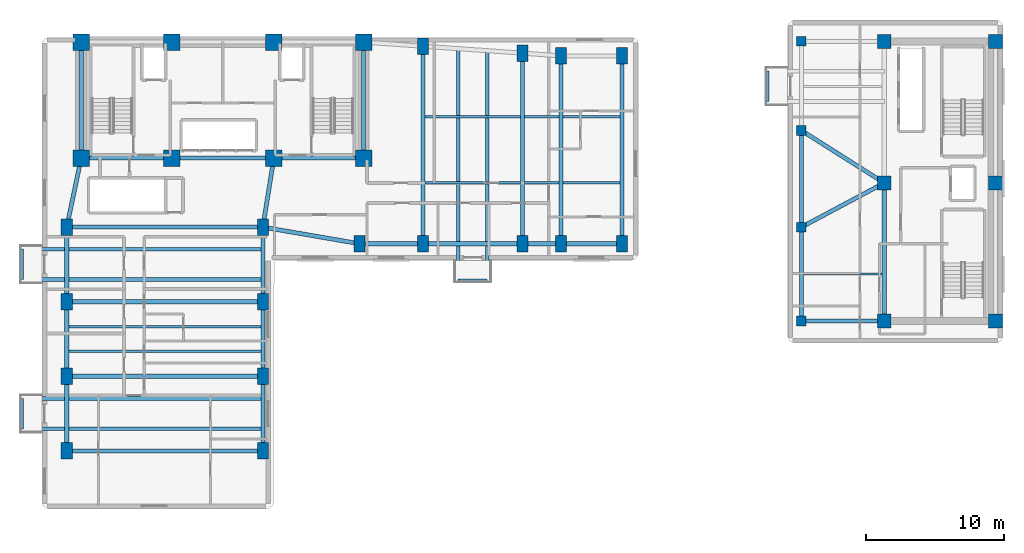
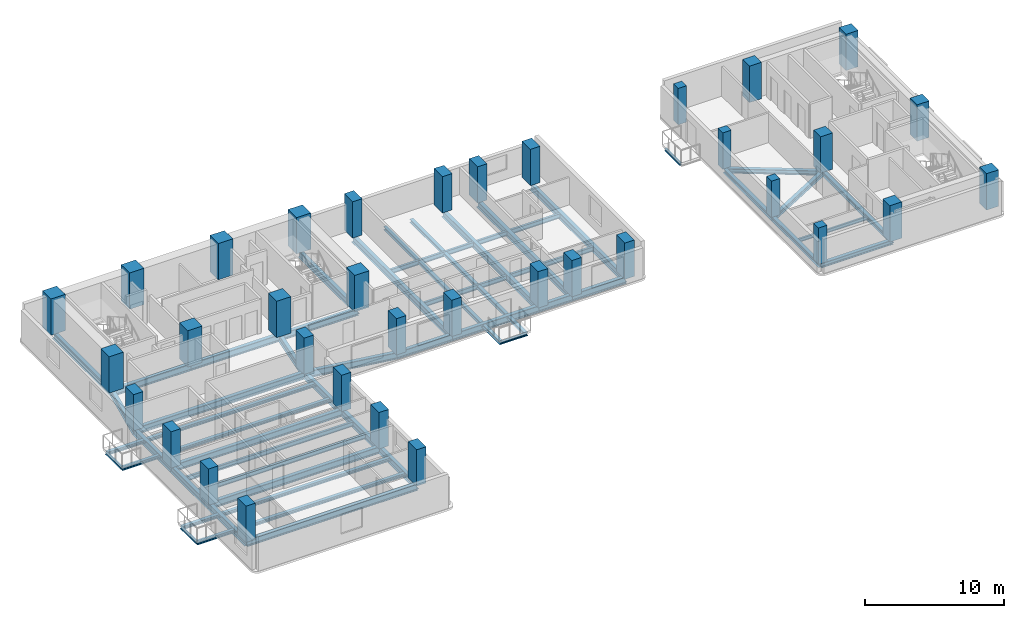
# One storey, part 1 of 9: 51 beams, 35 columns.
"""IFC4 building model written with IfcOpenShell, lengths in metres."""

from ifc_helpers import new_model, si_unit, direction, frame, origin, origin_2d, place, context, subcontext, project, spatial, rectangle, i_section, extrude, material, material_profile, profile_set, type_object, element, save


model = new_model("IFC4")

# Units and contexts
model_context = context("Model", 3, precision=1e-05, world=origin(), true_north=direction((0.0, 1.0)))
body_context = subcontext(model_context, "Body", "Model", "MODEL_VIEW")
ifc_project = project(units=[si_unit("LENGTHUNIT", "METRE"), si_unit("AREAUNIT", "SQUARE_METRE"), si_unit("VOLUMEUNIT", "CUBIC_METRE"), si_unit("PLANEANGLEUNIT", "RADIAN"), si_unit("MASSUNIT", "GRAM", prefix="KILO")], contexts=[model_context])

# Site, building, storey
site_placement = place(None, origin())
site = spatial("IfcSite", under=ifc_project, at=site_placement, CompositionType="ELEMENT")
building_placement = place(site_placement, origin())
building = spatial("IfcBuilding", under=site, at=building_placement, Name="Kuzgunbayir Cultural Tower", CompositionType="ELEMENT")
storey_placement = place(building_placement, frame((0.0, 0.0, 89.800048828125)))
storey = spatial("IfcBuildingStorey", under=building, at=storey_placement, Name="L25", CompositionType="ELEMENT", Elevation=89.800048828125)

# Columns
ifc_material_1 = material(Name="Concrete C60/75", Category="concrete")
ifc_material_profile_1 = material_profile(ifc_material_1, rectangle(XDim=1.199951171875, YDim=1.199951171875, at=origin_2d()), Name="RC 1200x1200")
ifc_profile_set_1 = profile_set([ifc_material_profile_1], Name="Concrete C60/75")
column_type_1 = type_object("IfcColumnType", Name="COL-CORE-1200", PredefinedType="COLUMN", material=ifc_profile_set_1)
for number, where, z_axis, x_axis, name in (
    (1, (6.449951171875, 33.800048828125, 0.0), (0.0, 0.0, 1.0), (1.0, 0.0, 0.0), "L25 T1 Core Boundary Column CC1-1"),
    (2, (13.0, 33.800048828125, 0.0), (0.0, 0.0, 1.0), (1.0, 0.0, 0.0), "L25 T1 Core Boundary Column CC1-2"),
    (3, (20.39990234375, 33.800048828125, 0.0), (0.0, 0.0, 1.0), (1.0, 0.0, 0.0), "L25 T1 Core Boundary Column CC1-3"),
    (4, (26.89990234375, 33.800048828125, 0.0), (0.0, 0.0, 1.0), (1.0, 0.0, 0.0), "L25 T1 Core Boundary Column CC1-4"),
    (5, (6.449951171875, 42.199951171875, 0.0), (0.0, 0.0, 1.0), (1.0, 0.0, 0.0), "L25 T1 Core Boundary Column CC1-5"),
    (6, (13.0, 42.199951171875, 0.0), (0.0, 0.0, 1.0), (1.0, 0.0, 0.0), "L25 T1 Core Boundary Column CC1-6"),
    (7, (20.39990234375, 42.199951171875, 0.0), (0.0, 0.0, 1.0), (1.0, 0.0, 0.0), "L25 T1 Core Boundary Column CC1-7"),
    (8, (26.89990234375, 42.199951171875, 0.0), (0.0, 0.0, 1.0), (1.0, 0.0, 0.0), "L25 T1 Core Boundary Column CC1-8"),
):
    element("IfcColumn", number, at=place(storey_placement, frame(where, z_axis=z_axis, x_axis=x_axis)), inside=storey, type_object=column_type_1, Name=name, PredefinedType="COLUMN", context=body_context, shape_type="SweptSolid", body=[
        extrude(rectangle(XDim=1.199951171875, YDim=1.199951171875, at=origin_2d()), origin(), (0.0, 0.0, 1.0), 3.199951171875),
    ])
ifc_material_profile_2 = material_profile(ifc_material_1, rectangle(XDim=0.800048828125, YDim=1.199951171875, at=origin_2d()), Name="RC 1200x800")
ifc_profile_set_2 = profile_set([ifc_material_profile_2], Name="Concrete C60/75")
column_type_2 = type_object("IfcColumnType", Name="COL-T1-1200x800", PredefinedType="COLUMN", material=ifc_profile_set_2)
for number, where, z_axis, x_axis, name in (
    (9, (5.39990234375, 12.60009765625, 0.0), (0.0, 0.0, 1.0), (1.0, 0.0, 0.0), "L25 Tower 1 Wing A Column T1A-W-1"),
    (10, (19.60009765625, 12.60009765625, 0.0), (0.0, 0.0, 1.0), (1.0, 0.0, 0.0), "L25 Tower 1 Wing A Column T1A-E-1"),
    (11, (5.39990234375, 18.0, 0.0), (0.0, 0.0, 1.0), (1.0, 0.0, 0.0), "L25 Tower 1 Wing A Column T1A-W-2"),
    (12, (19.60009765625, 18.0, 0.0), (0.0, 0.0, 1.0), (1.0, 0.0, 0.0), "L25 Tower 1 Wing A Column T1A-E-2"),
    (13, (5.39990234375, 23.39990234375, 0.0), (0.0, 0.0, 1.0), (1.0, 0.0, 0.0), "L25 Tower 1 Wing A Column T1A-W-3"),
    (14, (19.60009765625, 23.39990234375, 0.0), (0.0, 0.0, 1.0), (1.0, 0.0, 0.0), "L25 Tower 1 Wing A Column T1A-E-3"),
    (15, (5.39990234375, 28.800048828125, 0.0), (0.0, 0.0, 1.0), (1.0, 0.0, 0.0), "L25 Tower 1 Wing A Column T1A-W-4"),
    (16, (19.60009765625, 28.800048828125, 0.0), (0.0, 0.0, 1.0), (1.0, 0.0, 0.0), "L25 Tower 1 Wing A Column T1A-E-4"),
    (17, (26.60009765625, 27.60009765625, 0.0), (0.0, 0.0, 1.0), (1.0, 0.0, 0.0), "L25 Tower 1 Wing B Column T1B-1-1"),
    (18, (31.199951171875, 27.60009765625, 0.0), (0.0, 0.0, 1.0), (1.0, 0.0, 0.0), "L25 Tower 1 Wing B Column T1B-2-1"),
    (19, (31.199951171875, 41.89990234375, 0.0), (0.0, 0.0, 1.0), (1.0, 0.0, 0.0), "L25 Tower 1 Wing B Column T1B-2-2"),
    (20, (38.39990234375, 27.60009765625, 0.0), (0.0, 0.0, 1.0), (1.0, 0.0, 0.0), "L25 Tower 1 Wing B Column T1B-3-1"),
    (21, (38.39990234375, 41.39990234375, 0.0), (0.0, 0.0, 1.0), (1.0, 0.0, 0.0), "L25 Tower 1 Wing B Column T1B-3-2"),
    (22, (41.199951171875, 27.60009765625, 0.0), (0.0, 0.0, 1.0), (1.0, 0.0, 0.0), "L25 Tower 1 Wing B Column T1B-4-1"),
    (23, (41.199951171875, 41.199951171875, 0.0), (0.0, 0.0, 1.0), (1.0, 0.0, 0.0), "L25 Tower 1 Wing B Column T1B-4-2"),
    (24, (45.60009765625, 27.60009765625, 0.0), (0.0, 0.0, 1.0), (1.0, 0.0, 0.0), "L25 Tower 1 Wing B Column T1B-5-1"),
    (25, (45.60009765625, 41.199951171875, 0.0), (0.0, 0.0, 1.0), (1.0, 0.0, 0.0), "L25 Tower 1 Wing B Column T1B-5-2"),
):
    element("IfcColumn", number, at=place(storey_placement, frame(where, z_axis=z_axis, x_axis=x_axis)), inside=storey, type_object=column_type_2, Name=name, PredefinedType="COLUMN", context=body_context, shape_type="SweptSolid", body=[
        extrude(rectangle(XDim=0.800048828125, YDim=1.199951171875, at=origin_2d()), origin(), (0.0, 0.0, 1.0), 3.199951171875),
    ])
ifc_material_profile_3 = material_profile(ifc_material_1, rectangle(XDim=1.0, YDim=1.0, at=origin_2d()), Name="RC 1000x1000")
ifc_profile_set_3 = profile_set([ifc_material_profile_3], Name="Concrete C60/75")
column_type_3 = type_object("IfcColumnType", Name="COL-T2-1000", PredefinedType="COLUMN", material=ifc_profile_set_3)
for number, where, z_axis, x_axis, name in (
    (26, (64.60009765625, 22.0, 0.0), (0.0, 0.0, 1.0), (1.0, 0.0, 0.0), "L25 T2 Core Boundary Column CC2-1"),
    (27, (72.64990234375, 22.0, 0.0), (0.0, 0.0, 1.0), (1.0, 0.0, 0.0), "L25 T2 Core Boundary Column CC2-2"),
    (28, (64.60009765625, 32.0, 0.0), (0.0, 0.0, 1.0), (1.0, 0.0, 0.0), "L25 T2 Core Boundary Column CC2-3"),
    (29, (72.64990234375, 32.0, 0.0), (0.0, 0.0, 1.0), (1.0, 0.0, 0.0), "L25 T2 Core Boundary Column CC2-4"),
    (30, (64.60009765625, 42.25, 0.0), (0.0, 0.0, 1.0), (1.0, 0.0, 0.0), "L25 T2 Core Boundary Column CC2-5"),
    (31, (72.64990234375, 42.25, 0.0), (0.0, 0.0, 1.0), (1.0, 0.0, 0.0), "L25 T2 Core Boundary Column CC2-6"),
):
    element("IfcColumn", number, at=place(storey_placement, frame(where, z_axis=z_axis, x_axis=x_axis)), inside=storey, type_object=column_type_3, Name=name, PredefinedType="COLUMN", context=body_context, shape_type="SweptSolid", body=[
        extrude(rectangle(XDim=1.0, YDim=1.0, at=origin_2d()), origin(), (0.0, 0.0, 1.0), 3.199951171875),
    ])
ifc_material_profile_4 = material_profile(ifc_material_1, rectangle(XDim=0.699951171875, YDim=0.699951171875, at=origin_2d()), Name="RC 700x700")
ifc_profile_set_4 = profile_set([ifc_material_profile_4], Name="Concrete C60/75")
column_type_4 = type_object("IfcColumnType", Name="COL-T2-700", PredefinedType="COLUMN", material=ifc_profile_set_4)
for number, where, z_axis, x_axis, name in (
    (32, (58.60009765625, 22.0, 0.0), (0.0, 0.0, 1.0), (1.0, 0.0, 0.0), "L25 Companion Wing A Column T2A-W-1"),
    (33, (58.60009765625, 28.800048828125, 0.0), (0.0, 0.0, 1.0), (1.0, 0.0, 0.0), "L25 Companion Wing A Column T2A-W-2"),
    (34, (58.60009765625, 35.800048828125, 0.0), (0.0, 0.0, 1.0), (1.0, 0.0, 0.0), "L25 Companion Wing A Column T2A-W-3"),
    (35, (58.60009765625, 42.25, 0.0), (0.0, 0.0, 1.0), (1.0, 0.0, 0.0), "L25 Companion Wing A Column T2A-W-4"),
):
    element("IfcColumn", number, at=place(storey_placement, frame(where, z_axis=z_axis, x_axis=x_axis)), inside=storey, type_object=column_type_4, Name=name, PredefinedType="COLUMN", context=body_context, shape_type="SweptSolid", body=[
        extrude(rectangle(XDim=0.699951171875, YDim=0.699951171875, at=origin_2d()), origin(), (0.0, 0.0, 1.0), 3.199951171875),
    ])

# Beams
ifc_material_2 = material(Name="Steel S355J2", Category="steel")
ifc_material_profile_5 = material_profile(ifc_material_2, i_section(OverallWidth=0.280029296875, OverallDepth=0.280029296875, WebThickness=0.010498046875, FlangeThickness=0.01806640625, FilletRadius=0.02392578125, at=origin_2d()), Name="HEB 280")
ifc_profile_set_5 = profile_set([ifc_material_profile_5], Name="Steel S355J2")
beam_type_1 = type_object("IfcBeamType", Name="BM-BAL-HEB280", PredefinedType="BEAM", material=ifc_profile_set_5)
for number, where, z_axis, x_axis, name in (
    (36, (2.159912109375, 14.199951171875, -0.340087890625), (1.0, 0.0, 0.0), (0.0, 1.0, 0.0), "L25 Balcony Outrigger Beam BAL-L25-WA1.1"),
    (37, (2.159912109375, 16.39990234375, -0.340087890625), (1.0, 0.0, 0.0), (0.0, 1.0, 0.0), "L25 Balcony Outrigger Beam BAL-L25-WA1.2"),
    (38, (2.159912109375, 25.0, -0.340087890625), (1.0, 0.0, 0.0), (0.0, 1.0, 0.0), "L25 Balcony Outrigger Beam BAL-L25-WA3.1"),
    (39, (2.159912109375, 27.199951171875, -0.340087890625), (1.0, 0.0, 0.0), (0.0, 1.0, 0.0), "L25 Balcony Outrigger Beam BAL-L25-WA3.2"),
):
    element("IfcBeam", number, at=place(storey_placement, frame(where, z_axis=z_axis, x_axis=x_axis)), inside=storey, type_object=beam_type_1, Name=name, PredefinedType="BEAM", context=body_context, shape_type="SweptSolid", body=[
        extrude(i_section(OverallWidth=0.280029296875, OverallDepth=0.280029296875, WebThickness=0.010498046875, FlangeThickness=0.01806640625, FilletRadius=0.02392578125, at=origin_2d()), origin(), (0.0, 0.0, 1.0), 17.440185546875),
    ])
beam_1_placement = place(storey_placement, frame((33.75, 24.9599609375, -0.340087890625), z_axis=(0.0, 1.0, 0.0), x_axis=(-1.0, 0.0, 0.0)))
element("IfcBeam", 40, at=beam_1_placement, inside=storey, type_object=beam_type_1, Name="L25 Balcony Outrigger Beam BAL-L25-WB2.1", PredefinedType="BEAM", context=body_context, shape_type="SweptSolid", body=[
    extrude(i_section(OverallWidth=0.280029296875, OverallDepth=0.280029296875, WebThickness=0.010498046875, FlangeThickness=0.01806640625, FilletRadius=0.02392578125, at=origin_2d()), origin(), (0.0, 0.0, 1.0), 16.760009765625),
])
beam_2_placement = place(storey_placement, frame((35.85009765625, 24.9599609375, -0.340087890625), z_axis=(0.0, 1.0, 0.0), x_axis=(-1.0, 0.0, 0.0)))
element("IfcBeam", 41, at=beam_2_placement, inside=storey, type_object=beam_type_1, Name="L25 Balcony Outrigger Beam BAL-L25-WB2.2", PredefinedType="BEAM", context=body_context, shape_type="SweptSolid", body=[
    extrude(i_section(OverallWidth=0.280029296875, OverallDepth=0.280029296875, WebThickness=0.010498046875, FlangeThickness=0.01806640625, FilletRadius=0.02392578125, at=origin_2d()), origin(), (0.0, 0.0, 1.0), 16.6201171875),
])
ifc_material_profile_6 = material_profile(ifc_material_2, i_section(OverallWidth=0.199951171875, OverallDepth=0.199951171875, WebThickness=0.009033203125, FlangeThickness=0.014892578125, FilletRadius=0.01806640625, at=origin_2d()), Name="HEB 200")
ifc_profile_set_6 = profile_set([ifc_material_profile_6], Name="Steel S355J2")
beam_type_2 = type_object("IfcBeamType", Name="BM-CAN-HEB200", PredefinedType="BEAM", material=ifc_profile_set_6)
for number, where, z_axis, x_axis, name in (
    (42, (2.159912109375, 14.199951171875, -0.300048828125), (0.0, 1.0, 0.0), (-1.0, 0.0, 0.0), "L25 Balcony Edge Header BAL-L25-WA1"),
    (43, (2.159912109375, 25.0, -0.300048828125), (0.0, 1.0, 0.0), (-1.0, 0.0, 0.0), "L25 Balcony Edge Header BAL-L25-WA3"),
):
    element("IfcBeam", number, at=place(storey_placement, frame(where, z_axis=z_axis, x_axis=x_axis)), inside=storey, type_object=beam_type_2, Name=name, PredefinedType="BEAM", context=body_context, shape_type="SweptSolid", body=[
        extrude(i_section(OverallWidth=0.199951171875, OverallDepth=0.199951171875, WebThickness=0.009033203125, FlangeThickness=0.014892578125, FilletRadius=0.01806640625, at=origin_2d()), origin(), (0.0, 0.0, 1.0), 2.199951171875),
    ])
beam_3_placement = place(storey_placement, frame((33.75, 24.9599609375, -0.300048828125), z_axis=(1.0, 0.0, 0.0), x_axis=(0.0, 1.0, 0.0)))
element("IfcBeam", 44, at=beam_3_placement, inside=storey, type_object=beam_type_2, Name="L25 Balcony Edge Header BAL-L25-WB2", PredefinedType="BEAM", context=body_context, shape_type="SweptSolid", body=[
    extrude(i_section(OverallWidth=0.199951171875, OverallDepth=0.199951171875, WebThickness=0.009033203125, FlangeThickness=0.014892578125, FilletRadius=0.01806640625, at=origin_2d()), origin(), (0.0, 0.0, 1.0), 2.10009765625),
])
beam_4_placement = place(storey_placement, frame((56.159912109375, 37.89990234375, -0.300048828125), z_axis=(0.0, 1.0, 0.0), x_axis=(-1.0, 0.0, 0.0)))
element("IfcBeam", 45, at=beam_4_placement, inside=storey, type_object=beam_type_2, Name="L25 Companion Balcony Header BAL-L25-T2W3", PredefinedType="BEAM", context=body_context, shape_type="SweptSolid", body=[
    extrude(i_section(OverallWidth=0.199951171875, OverallDepth=0.199951171875, WebThickness=0.009033203125, FlangeThickness=0.014892578125, FilletRadius=0.01806640625, at=origin_2d()), origin(), (0.0, 0.0, 1.0), 2.2001953125),
])
ifc_material_profile_7 = material_profile(ifc_material_2, i_section(OverallWidth=0.300048828125, OverallDepth=0.39990234375, WebThickness=0.013427734375, FlangeThickness=0.02392578125, FilletRadius=0.027099609375, at=origin_2d()), Name="HEB 400")
ifc_profile_set_7 = profile_set([ifc_material_profile_7], Name="Steel S355J2")
beam_type_3 = type_object("IfcBeamType", Name="BM-EXT-HEB400", PredefinedType="BEAM", material=ifc_profile_set_7)
beam_5_placement = place(storey_placement, frame((58.60009765625, 22.0, -0.380126953125), z_axis=(0.0, 1.0, 0.0), x_axis=(-1.0, 0.0, 0.0)))
element("IfcBeam", 46, at=beam_5_placement, inside=storey, type_object=beam_type_3, Name="L25 Companion West Girder", PredefinedType="BEAM", context=body_context, shape_type="SweptSolid", body=[
    extrude(i_section(OverallWidth=0.300048828125, OverallDepth=0.39990234375, WebThickness=0.013427734375, FlangeThickness=0.02392578125, FilletRadius=0.027099609375, at=origin_2d()), origin(), (0.0, 0.0, 1.0), 6.800048828125),
])
beam_6_placement = place(storey_placement, frame((58.60009765625, 28.800048828125, -0.380126953125), z_axis=(0.0, 1.0, 0.0), x_axis=(-1.0, 0.0, 0.0)))
element("IfcBeam", 47, at=beam_6_placement, inside=storey, type_object=beam_type_3, Name="L25 Companion West Girder", PredefinedType="BEAM", context=body_context, shape_type="SweptSolid", body=[
    extrude(i_section(OverallWidth=0.300048828125, OverallDepth=0.39990234375, WebThickness=0.013427734375, FlangeThickness=0.02392578125, FilletRadius=0.027099609375, at=origin_2d()), origin(), (0.0, 0.0, 1.0), 7.0),
])
ifc_material_profile_8 = material_profile(ifc_material_2, i_section(OverallWidth=0.300048828125, OverallDepth=0.60009765625, WebThickness=0.015380859375, FlangeThickness=0.030029296875, FilletRadius=0.027099609375, at=origin_2d()), Name="HEB 600")
ifc_profile_set_8 = profile_set([ifc_material_profile_8], Name="Steel S355J2")
beam_type_4 = type_object("IfcBeamType", Name="BM-EXT-HEB600", PredefinedType="BEAM", material=ifc_profile_set_8)
for number, where, z_axis, x_axis, name in (
    (48, (5.39990234375, 12.60009765625, -0.47998046875), (0.0, 1.0, 0.0), (-1.0, 0.0, 0.0), "L25 Wing A West Girder 1"),
    (49, (19.60009765625, 12.60009765625, -0.47998046875), (0.0, 1.0, 0.0), (-1.0, 0.0, 0.0), "L25 Wing A East Girder 1"),
    (50, (5.39990234375, 18.0, -0.47998046875), (0.0, 1.0, 0.0), (-1.0, 0.0, 0.0), "L25 Wing A West Girder 2"),
    (51, (19.60009765625, 18.0, -0.47998046875), (0.0, 1.0, 0.0), (-1.0, 0.0, 0.0), "L25 Wing A East Girder 2"),
):
    element("IfcBeam", number, at=place(storey_placement, frame(where, z_axis=z_axis, x_axis=x_axis)), inside=storey, type_object=beam_type_4, Name=name, PredefinedType="BEAM", context=body_context, shape_type="SweptSolid", body=[
        extrude(i_section(OverallWidth=0.300048828125, OverallDepth=0.60009765625, WebThickness=0.015380859375, FlangeThickness=0.030029296875, FilletRadius=0.027099609375, at=origin_2d()), origin(), (0.0, 0.0, 1.0), 5.39990234375),
    ])
for number, where, z_axis, x_axis, name in (
    (52, (5.39990234375, 23.39990234375, -0.47998046875), (0.0, 1.0, 0.0), (-1.0, 0.0, 0.0), "L25 Wing A West Girder 3"),
    (53, (19.60009765625, 23.39990234375, -0.47998046875), (0.0, 1.0, 0.0), (-1.0, 0.0, 0.0), "L25 Wing A East Girder 3"),
):
    element("IfcBeam", number, at=place(storey_placement, frame(where, z_axis=z_axis, x_axis=x_axis)), inside=storey, type_object=beam_type_4, Name=name, PredefinedType="BEAM", context=body_context, shape_type="SweptSolid", body=[
        extrude(i_section(OverallWidth=0.300048828125, OverallDepth=0.60009765625, WebThickness=0.015380859375, FlangeThickness=0.030029296875, FilletRadius=0.027099609375, at=origin_2d()), origin(), (0.0, 0.0, 1.0), 5.400146484375),
    ])
beam_7_placement = place(storey_placement, frame((26.60009765625, 27.60009765625, -0.47998046875), z_axis=(1.0, 0.0, 0.0), x_axis=(0.0, 1.0, 0.0)))
element("IfcBeam", 54, at=beam_7_placement, inside=storey, type_object=beam_type_4, Name="L25 Wing B South Girder 1", PredefinedType="BEAM", context=body_context, shape_type="SweptSolid", body=[
    extrude(i_section(OverallWidth=0.300048828125, OverallDepth=0.60009765625, WebThickness=0.015380859375, FlangeThickness=0.030029296875, FilletRadius=0.027099609375, at=origin_2d()), origin(), (0.0, 0.0, 1.0), 4.599853515625),
])
beam_8_placement = place(storey_placement, frame((31.199951171875, 27.60009765625, -0.47998046875), z_axis=(1.0, 0.0, 0.0), x_axis=(0.0, 1.0, 0.0)))
element("IfcBeam", 55, at=beam_8_placement, inside=storey, type_object=beam_type_4, Name="L25 Wing B South Girder 2", PredefinedType="BEAM", context=body_context, shape_type="SweptSolid", body=[
    extrude(i_section(OverallWidth=0.300048828125, OverallDepth=0.60009765625, WebThickness=0.015380859375, FlangeThickness=0.030029296875, FilletRadius=0.027099609375, at=origin_2d()), origin(), (0.0, 0.0, 1.0), 7.199951171875),
])
beam_9_placement = place(storey_placement, frame((38.39990234375, 27.60009765625, -0.47998046875), z_axis=(1.0, 0.0, 0.0), x_axis=(0.0, 1.0, 0.0)))
element("IfcBeam", 56, at=beam_9_placement, inside=storey, type_object=beam_type_4, Name="L25 Wing B South Girder 3", PredefinedType="BEAM", context=body_context, shape_type="SweptSolid", body=[
    extrude(i_section(OverallWidth=0.300048828125, OverallDepth=0.60009765625, WebThickness=0.015380859375, FlangeThickness=0.030029296875, FilletRadius=0.027099609375, at=origin_2d()), origin(), (0.0, 0.0, 1.0), 2.800048828125),
])
beam_10_placement = place(storey_placement, frame((41.199951171875, 27.60009765625, -0.47998046875), z_axis=(1.0, 0.0, 0.0), x_axis=(0.0, 1.0, 0.0)))
element("IfcBeam", 57, at=beam_10_placement, inside=storey, type_object=beam_type_4, Name="L25 Wing B South Girder 4", PredefinedType="BEAM", context=body_context, shape_type="SweptSolid", body=[
    extrude(i_section(OverallWidth=0.300048828125, OverallDepth=0.60009765625, WebThickness=0.015380859375, FlangeThickness=0.030029296875, FilletRadius=0.027099609375, at=origin_2d()), origin(), (0.0, 0.0, 1.0), 4.400146484375),
])
ifc_material_profile_9 = material_profile(ifc_material_2, i_section(OverallWidth=0.300048828125, OverallDepth=0.39990234375, WebThickness=0.013427734375, FlangeThickness=0.02392578125, FilletRadius=0.027099609375, at=origin_2d()), Name="HEB 400")
ifc_profile_set_9 = profile_set([ifc_material_profile_9], Name="Steel S355J2")
beam_type_5 = type_object("IfcBeamType", Name="BM-GIR-HEB400", PredefinedType="BEAM", material=ifc_profile_set_9)
beam_11_placement = place(storey_placement, frame((58.60009765625, 22.0, -0.380126953125), z_axis=(1.0, 0.0, 0.0), x_axis=(0.0, 1.0, 0.0)))
element("IfcBeam", 58, at=beam_11_placement, inside=storey, type_object=beam_type_5, Name="L25 Companion Transverse Girder 1", PredefinedType="BEAM", context=body_context, shape_type="SweptSolid", body=[
    extrude(i_section(OverallWidth=0.300048828125, OverallDepth=0.39990234375, WebThickness=0.013427734375, FlangeThickness=0.02392578125, FilletRadius=0.027099609375, at=origin_2d()), origin(), (0.0, 0.0, 1.0), 6.0),
])
beam_12_placement = place(storey_placement, frame((58.60009765625, 28.800048828125, -0.380126953125), z_axis=(0.882355922736, 0.470582644828, 0.0), x_axis=(-0.470582644828, 0.882355922736, 0.0)))
element("IfcBeam", 59, at=beam_12_placement, inside=storey, type_object=beam_type_5, Name="L25 Companion Transverse Girder 2", PredefinedType="BEAM", context=body_context, shape_type="SweptSolid", body=[
    extrude(i_section(OverallWidth=0.300048828125, OverallDepth=0.39990234375, WebThickness=0.013427734375, FlangeThickness=0.02392578125, FilletRadius=0.027099609375, at=origin_2d()), origin(), (0.0, 0.0, 1.0), 6.800048828125),
])
beam_13_placement = place(storey_placement, frame((58.60009765625, 35.800048828125, -0.380126953125), z_axis=(0.844815967829, -0.535056988088, 0.0), x_axis=(0.535056988088, 0.844815967829, 0.0)))
element("IfcBeam", 60, at=beam_13_placement, inside=storey, type_object=beam_type_5, Name="L25 Companion Transverse Girder 3", PredefinedType="BEAM", context=body_context, shape_type="SweptSolid", body=[
    extrude(i_section(OverallWidth=0.300048828125, OverallDepth=0.39990234375, WebThickness=0.013427734375, FlangeThickness=0.02392578125, FilletRadius=0.027099609375, at=origin_2d()), origin(), (0.0, 0.0, 1.0), 7.10205078125),
])
beam_14_placement = place(storey_placement, frame((64.60009765625, 22.0, -0.380126953125), z_axis=(0.0, 1.0, 0.0), x_axis=(-1.0, 0.0, 0.0)))
element("IfcBeam", 61, at=beam_14_placement, inside=storey, type_object=beam_type_5, Name="L25 Companion Core West Girder 1", PredefinedType="BEAM", context=body_context, shape_type="SweptSolid", body=[
    extrude(i_section(OverallWidth=0.300048828125, OverallDepth=0.39990234375, WebThickness=0.013427734375, FlangeThickness=0.02392578125, FilletRadius=0.027099609375, at=origin_2d()), origin(), (0.0, 0.0, 1.0), 10.0),
])
ifc_material_profile_10 = material_profile(ifc_material_2, i_section(OverallWidth=0.300048828125, OverallDepth=0.60009765625, WebThickness=0.015380859375, FlangeThickness=0.030029296875, FilletRadius=0.027099609375, at=origin_2d()), Name="HEB 600")
ifc_profile_set_10 = profile_set([ifc_material_profile_10], Name="Steel S355J2")
beam_type_6 = type_object("IfcBeamType", Name="BM-GIR-HEB600", PredefinedType="BEAM", material=ifc_profile_set_10)
beam_15_placement = place(storey_placement, frame((6.449951171875, 33.800048828125, -0.47998046875), z_axis=(1.0, 0.0, 0.0), x_axis=(0.0, 1.0, 0.0)))
element("IfcBeam", 62, at=beam_15_placement, inside=storey, type_object=beam_type_6, Name="L25 Core South Girder 1", PredefinedType="BEAM", context=body_context, shape_type="SweptSolid", body=[
    extrude(i_section(OverallWidth=0.300048828125, OverallDepth=0.60009765625, WebThickness=0.015380859375, FlangeThickness=0.030029296875, FilletRadius=0.027099609375, at=origin_2d()), origin(), (0.0, 0.0, 1.0), 6.550048828125),
])
beam_16_placement = place(storey_placement, frame((13.0, 33.800048828125, -0.47998046875), z_axis=(1.0, 0.0, 0.0), x_axis=(0.0, 1.0, 0.0)))
element("IfcBeam", 63, at=beam_16_placement, inside=storey, type_object=beam_type_6, Name="L25 Core South Girder 2", PredefinedType="BEAM", context=body_context, shape_type="SweptSolid", body=[
    extrude(i_section(OverallWidth=0.300048828125, OverallDepth=0.60009765625, WebThickness=0.015380859375, FlangeThickness=0.030029296875, FilletRadius=0.027099609375, at=origin_2d()), origin(), (0.0, 0.0, 1.0), 7.39990234375),
])
beam_17_placement = place(storey_placement, frame((20.39990234375, 33.800048828125, -0.47998046875), z_axis=(1.0, 0.0, 0.0), x_axis=(0.0, 1.0, 0.0)))
element("IfcBeam", 64, at=beam_17_placement, inside=storey, type_object=beam_type_6, Name="L25 Core South Girder 3", PredefinedType="BEAM", context=body_context, shape_type="SweptSolid", body=[
    extrude(i_section(OverallWidth=0.300048828125, OverallDepth=0.60009765625, WebThickness=0.015380859375, FlangeThickness=0.030029296875, FilletRadius=0.027099609375, at=origin_2d()), origin(), (0.0, 0.0, 1.0), 6.5),
])
for number, where, z_axis, x_axis, name in (
    (65, (6.449951171875, 33.800048828125, -0.47998046875), (0.0, 1.0, 0.0), (-1.0, 0.0, 0.0), "L25 Core West Edge Girder"),
    (66, (26.89990234375, 33.800048828125, -0.47998046875), (0.0, 1.0, 0.0), (-1.0, 0.0, 0.0), "L25 Core East Edge Girder"),
):
    element("IfcBeam", number, at=place(storey_placement, frame(where, z_axis=z_axis, x_axis=x_axis)), inside=storey, type_object=beam_type_6, Name=name, PredefinedType="BEAM", context=body_context, shape_type="SweptSolid", body=[
        extrude(i_section(OverallWidth=0.300048828125, OverallDepth=0.60009765625, WebThickness=0.015380859375, FlangeThickness=0.030029296875, FilletRadius=0.027099609375, at=origin_2d()), origin(), (0.0, 0.0, 1.0), 8.39990234375),
    ])
for number, where, z_axis, x_axis, name in (
    (67, (5.39990234375, 12.60009765625, -0.47998046875), (1.0, 0.0, 0.0), (0.0, 1.0, 0.0), "L25 Wing A Transverse Girder 1"),
    (68, (5.39990234375, 18.0, -0.47998046875), (1.0, 0.0, 0.0), (0.0, 1.0, 0.0), "L25 Wing A Transverse Girder 2"),
    (69, (5.39990234375, 23.39990234375, -0.47998046875), (1.0, 0.0, 0.0), (0.0, 1.0, 0.0), "L25 Wing A Transverse Girder 3"),
    (70, (5.39990234375, 28.800048828125, -0.47998046875), (1.0, 0.0, 0.0), (0.0, 1.0, 0.0), "L25 Wing A Transverse Girder 4"),
):
    element("IfcBeam", number, at=place(storey_placement, frame(where, z_axis=z_axis, x_axis=x_axis)), inside=storey, type_object=beam_type_6, Name=name, PredefinedType="BEAM", context=body_context, shape_type="SweptSolid", body=[
        extrude(i_section(OverallWidth=0.300048828125, OverallDepth=0.60009765625, WebThickness=0.015380859375, FlangeThickness=0.030029296875, FilletRadius=0.027099609375, at=origin_2d()), origin(), (0.0, 0.0, 1.0), 14.2001953125),
    ])
beam_18_placement = place(storey_placement, frame((5.39990234375, 28.800048828125, -0.47998046875), z_axis=(0.205526387753, 0.978651574329, 0.0), x_axis=(-0.978651574329, 0.205526387753, 0.0)))
element("IfcBeam", 71, at=beam_18_placement, inside=storey, type_object=beam_type_6, Name="L25 Wing A West Core Floor Girder", PredefinedType="BEAM", context=body_context, shape_type="SweptSolid", body=[
    extrude(i_section(OverallWidth=0.300048828125, OverallDepth=0.60009765625, WebThickness=0.015380859375, FlangeThickness=0.030029296875, FilletRadius=0.027099609375, at=origin_2d()), origin(), (0.0, 0.0, 1.0), 5.109130859375),
])
beam_19_placement = place(storey_placement, frame((19.60009765625, 28.800048828125, -0.47998046875), z_axis=(0.157952891656, 0.987446648694, 0.0), x_axis=(-0.987446648694, 0.157952891656, 0.0)))
element("IfcBeam", 72, at=beam_19_placement, inside=storey, type_object=beam_type_6, Name="L25 Wing A East Core Floor Girder", PredefinedType="BEAM", context=body_context, shape_type="SweptSolid", body=[
    extrude(i_section(OverallWidth=0.300048828125, OverallDepth=0.60009765625, WebThickness=0.015380859375, FlangeThickness=0.030029296875, FilletRadius=0.027099609375, at=origin_2d()), origin(), (0.0, 0.0, 1.0), 5.0634765625),
])
beam_20_placement = place(storey_placement, frame((31.199951171875, 27.60009765625, -0.47998046875), z_axis=(0.0, 1.0, 0.0), x_axis=(-1.0, 0.0, 0.0)))
element("IfcBeam", 73, at=beam_20_placement, inside=storey, type_object=beam_type_6, Name="L25 Wing B Cross Girder 31", PredefinedType="BEAM", context=body_context, shape_type="SweptSolid", body=[
    extrude(i_section(OverallWidth=0.300048828125, OverallDepth=0.60009765625, WebThickness=0.015380859375, FlangeThickness=0.030029296875, FilletRadius=0.027099609375, at=origin_2d()), origin(), (0.0, 0.0, 1.0), 14.2998046875),
])
beam_21_placement = place(storey_placement, frame((38.39990234375, 27.60009765625, -0.47998046875), z_axis=(0.0, 1.0, 0.0), x_axis=(-1.0, 0.0, 0.0)))
element("IfcBeam", 74, at=beam_21_placement, inside=storey, type_object=beam_type_6, Name="L25 Wing B Cross Girder 38", PredefinedType="BEAM", context=body_context, shape_type="SweptSolid", body=[
    extrude(i_section(OverallWidth=0.300048828125, OverallDepth=0.60009765625, WebThickness=0.015380859375, FlangeThickness=0.030029296875, FilletRadius=0.027099609375, at=origin_2d()), origin(), (0.0, 0.0, 1.0), 13.7998046875),
])
for number, where, z_axis, x_axis, name in (
    (75, (41.199951171875, 27.60009765625, -0.47998046875), (0.0, 1.0, 0.0), (-1.0, 0.0, 0.0), "L25 Wing B Cross Girder 41"),
    (76, (45.60009765625, 27.60009765625, -0.47998046875), (0.0, 1.0, 0.0), (-1.0, 0.0, 0.0), "L25 Wing B Cross Girder 45"),
):
    element("IfcBeam", number, at=place(storey_placement, frame(where, z_axis=z_axis, x_axis=x_axis)), inside=storey, type_object=beam_type_6, Name=name, PredefinedType="BEAM", context=body_context, shape_type="SweptSolid", body=[
        extrude(i_section(OverallWidth=0.300048828125, OverallDepth=0.60009765625, WebThickness=0.015380859375, FlangeThickness=0.030029296875, FilletRadius=0.027099609375, at=origin_2d()), origin(), (0.0, 0.0, 1.0), 13.599853515625),
    ])
beam_22_placement = place(storey_placement, frame((19.60009765625, 28.800048828125, -0.47998046875), z_axis=(0.985623399742, -0.168957136221, 0.0), x_axis=(0.168957136221, 0.985623399742, 0.0)))
element("IfcBeam", 77, at=beam_22_placement, inside=storey, type_object=beam_type_6, Name="L25 Wing B Waist Tie Girder", PredefinedType="BEAM", context=body_context, shape_type="SweptSolid", body=[
    extrude(i_section(OverallWidth=0.300048828125, OverallDepth=0.60009765625, WebThickness=0.015380859375, FlangeThickness=0.030029296875, FilletRadius=0.027099609375, at=origin_2d()), origin(), (0.0, 0.0, 1.0), 7.10205078125),
])
ifc_material_profile_11 = material_profile(ifc_material_2, i_section(OverallWidth=0.14990234375, OverallDepth=0.300048828125, WebThickness=0.007080078125, FlangeThickness=0.0107421875, FilletRadius=0.014892578125, at=origin_2d()), Name="IPE 300")
ifc_profile_set_11 = profile_set([ifc_material_profile_11], Name="Steel S355J2")
beam_type_7 = type_object("IfcBeamType", Name="BM-JST-IPE300", PredefinedType="JOIST", material=ifc_profile_set_11)
beam_23_placement = place(storey_placement, frame((58.75, 25.39990234375, -0.330078125), z_axis=(1.0, 0.0, 0.0), x_axis=(0.0, 1.0, 0.0)))
element("IfcBeam", 78, at=beam_23_placement, inside=storey, type_object=beam_type_7, Name="L25 Companion Joist", PredefinedType="JOIST", context=body_context, shape_type="SweptSolid", body=[
    extrude(i_section(OverallWidth=0.14990234375, OverallDepth=0.300048828125, WebThickness=0.007080078125, FlangeThickness=0.0107421875, FilletRadius=0.014892578125, at=origin_2d()), origin(), (0.0, 0.0, 1.0), 5.699951171875),
])
ifc_material_profile_12 = material_profile(ifc_material_2, i_section(OverallWidth=0.179931640625, OverallDepth=0.39990234375, WebThickness=0.008544921875, FlangeThickness=0.013427734375, FilletRadius=0.02099609375, at=origin_2d()), Name="IPE 400")
ifc_profile_set_12 = profile_set([ifc_material_profile_12], Name="Steel S355J2")
beam_type_8 = type_object("IfcBeamType", Name="BM-JST-IPE400", PredefinedType="JOIST", material=ifc_profile_set_12)
for number, where, z_axis, x_axis, name in (
    (79, (5.550048828125, 19.800048828125, -0.380126953125), (1.0, 0.0, 0.0), (0.0, 1.0, 0.0), "L25 Wing A Secondary Joist 3"),
    (80, (5.550048828125, 21.60009765625, -0.380126953125), (1.0, 0.0, 0.0), (0.0, 1.0, 0.0), "L25 Wing A Secondary Joist 4"),
):
    element("IfcBeam", number, at=place(storey_placement, frame(where, z_axis=z_axis, x_axis=x_axis)), inside=storey, type_object=beam_type_8, Name=name, PredefinedType="JOIST", context=body_context, shape_type="SweptSolid", body=[
        extrude(i_section(OverallWidth=0.179931640625, OverallDepth=0.39990234375, WebThickness=0.008544921875, FlangeThickness=0.013427734375, FilletRadius=0.02099609375, at=origin_2d()), origin(), (0.0, 0.0, 1.0), 13.89990234375),
    ])
for number, where, z_axis, x_axis, name in (
    (81, (31.35009765625, 32.0, -0.380126953125), (1.0, 0.0, 0.0), (0.0, 1.0, 0.0), "L25 Wing B Secondary Joist 1.1"),
    (82, (31.35009765625, 36.800048828125, -0.380126953125), (1.0, 0.0, 0.0), (0.0, 1.0, 0.0), "L25 Wing B Secondary Joist 1.2"),
):
    element("IfcBeam", number, at=place(storey_placement, frame(where, z_axis=z_axis, x_axis=x_axis)), inside=storey, type_object=beam_type_8, Name=name, PredefinedType="JOIST", context=body_context, shape_type="SweptSolid", body=[
        extrude(i_section(OverallWidth=0.179931640625, OverallDepth=0.39990234375, WebThickness=0.008544921875, FlangeThickness=0.013427734375, FilletRadius=0.02099609375, at=origin_2d()), origin(), (0.0, 0.0, 1.0), 6.89990234375),
    ])
for number, where, z_axis, x_axis, name in (
    (83, (38.550048828125, 32.0, -0.380126953125), (1.0, 0.0, 0.0), (0.0, 1.0, 0.0), "L25 Wing B Secondary Joist 2.1"),
    (84, (38.550048828125, 36.800048828125, -0.380126953125), (1.0, 0.0, 0.0), (0.0, 1.0, 0.0), "L25 Wing B Secondary Joist 2.2"),
):
    element("IfcBeam", number, at=place(storey_placement, frame(where, z_axis=z_axis, x_axis=x_axis)), inside=storey, type_object=beam_type_8, Name=name, PredefinedType="JOIST", context=body_context, shape_type="SweptSolid", body=[
        extrude(i_section(OverallWidth=0.179931640625, OverallDepth=0.39990234375, WebThickness=0.008544921875, FlangeThickness=0.013427734375, FilletRadius=0.02099609375, at=origin_2d()), origin(), (0.0, 0.0, 1.0), 2.5),
    ])
for number, where, z_axis, x_axis, name in (
    (85, (41.35009765625, 32.0, -0.380126953125), (1.0, 0.0, 0.0), (0.0, 1.0, 0.0), "L25 Wing B Secondary Joist 3.1"),
    (86, (41.35009765625, 36.800048828125, -0.380126953125), (1.0, 0.0, 0.0), (0.0, 1.0, 0.0), "L25 Wing B Secondary Joist 3.2"),
):
    element("IfcBeam", number, at=place(storey_placement, frame(where, z_axis=z_axis, x_axis=x_axis)), inside=storey, type_object=beam_type_8, Name=name, PredefinedType="JOIST", context=body_context, shape_type="SweptSolid", body=[
        extrude(i_section(OverallWidth=0.179931640625, OverallDepth=0.39990234375, WebThickness=0.008544921875, FlangeThickness=0.013427734375, FilletRadius=0.02099609375, at=origin_2d()), origin(), (0.0, 0.0, 1.0), 4.099853515625),
    ])

save(model, "model.ifc")
